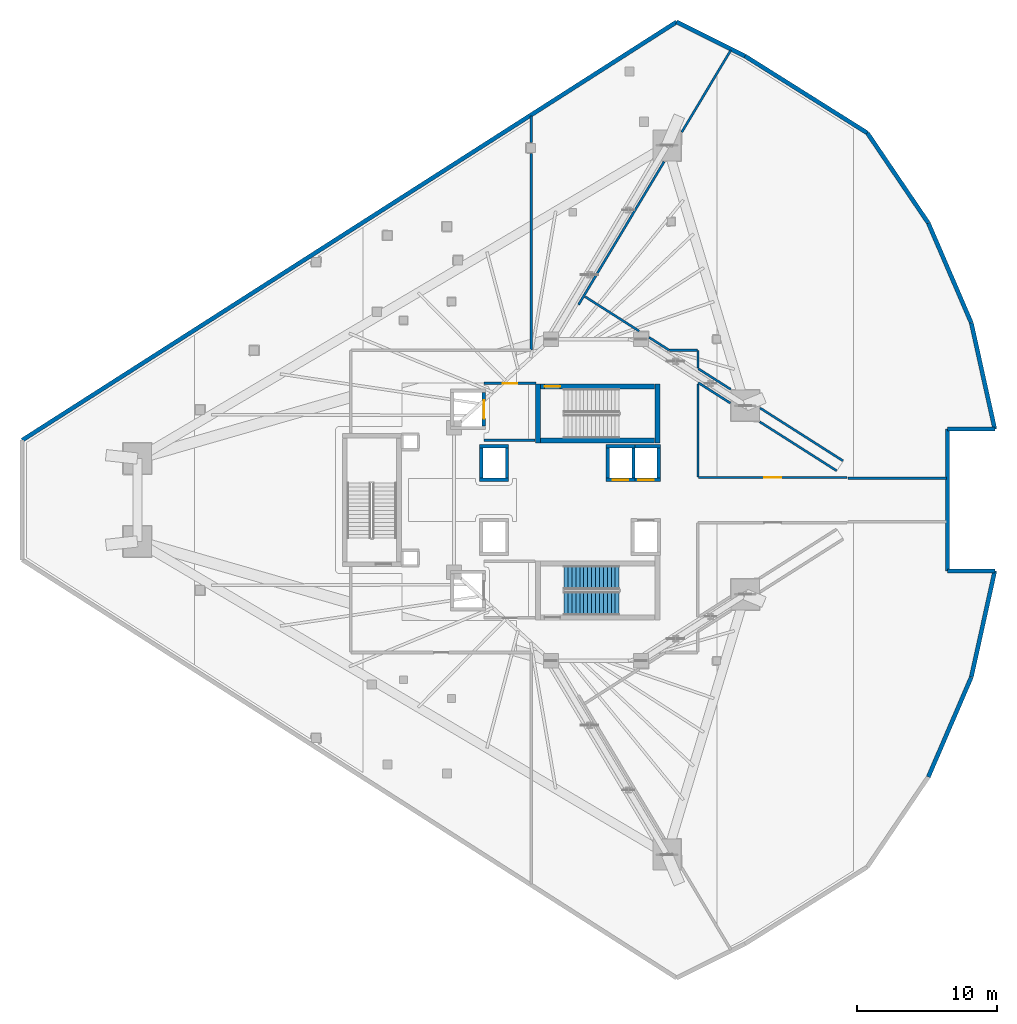
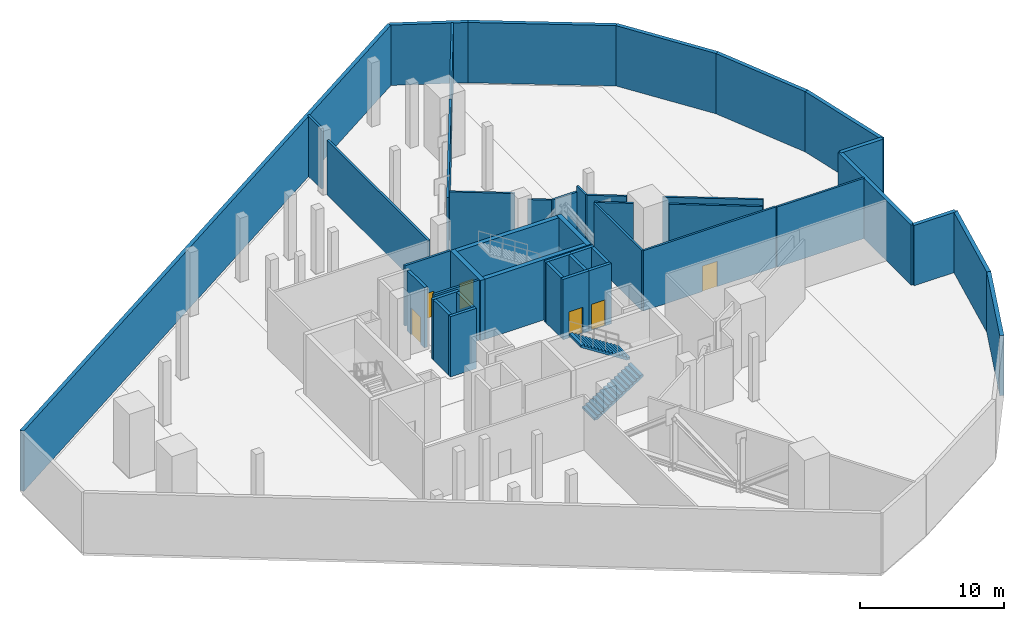
# One storey, part 6 of 12: 44 walls, 6 doors, 2 stair flights, 6 openings, 1 element without a shape of its own.
"""IFC4 building model written with IfcOpenShell, lengths in metres."""

from ifc_helpers import new_model, si_unit, direction, frame, frame_2d, origin, place, context, subcontext, project, spatial, polyline, rectangle, outline, extrude, material, layer, layer_set, type_object, element, fill, aggregate, save


model = new_model("IFC4")

# Units and contexts
model_context = context("Model", 3, precision=1e-05, world=origin(), true_north=direction((0.0, 1.0)))
body_context = subcontext(model_context, "Body", "Model", "MODEL_VIEW")
ifc_project = project(units=[si_unit("LENGTHUNIT", "METRE"), si_unit("AREAUNIT", "SQUARE_METRE"), si_unit("VOLUMEUNIT", "CUBIC_METRE"), si_unit("PLANEANGLEUNIT", "RADIAN"), si_unit("MASSUNIT", "GRAM", prefix="KILO")], contexts=[model_context])

# Site, building, storey
site_placement = place(None, origin())
site = spatial("IfcSite", under=ifc_project, at=site_placement, CompositionType="ELEMENT")
building_placement = place(site_placement, origin())
building = spatial("IfcBuilding", under=site, at=building_placement, Name="Qorvath Tower", CompositionType="ELEMENT")
storey_placement = place(building_placement, frame((0.0, 0.0, 99.60009765625)))
storey = spatial("IfcBuildingStorey", under=building, at=storey_placement, Name="L22", CompositionType="ELEMENT", Elevation=99.60009765625)

# Wall
ifc_material_1 = material(Name="Gypsum shaftliner on steel studs", Category="steel")
ifc_layer_1 = layer(ifc_material_1, 0.179931640625)
ifc_layer_set_1 = layer_set([ifc_layer_1], Name="FW-LOBBY")
wall_type_1 = type_object("IfcWallType", Name="FW-LOBBY", PredefinedType="PARTITIONING", material=ifc_layer_set_1)
wall_1_placement = place(storey_placement, frame((-28.35498046875, 4.25, 0.0), z_axis=(0.0, 0.0, 1.0), x_axis=(1.0, 0.0, 0.0)))
element("IfcWall", 1, at=wall_1_placement, inside=storey, type_object=wall_type_1, Name="Interior Partition IW-T1-L22-001", PredefinedType="PARTITIONING", context=body_context, shape_type="SweptSolid", body=[
    extrude(rectangle(XDim=3.6220703125, YDim=0.179931640625, at=frame_2d((1.81103515625, 0.0))), origin(), (0.0, 0.0, 1.0), 5.099853515625),
])

# Wall, opening, door
wall_2_placement = place(storey_placement, frame((-24.68408203125, 8.300048828125, 0.0), z_axis=(0.0, 0.0, 1.0), x_axis=(-1.0, 0.0, 0.0)))
wall_2 = element("IfcWall", 2, at=wall_2_placement, inside=storey, type_object=wall_type_1, Name="Interior Partition IW-T1-L22-002", PredefinedType="PARTITIONING", context=body_context, shape_type="SweptSolid", body=[
    extrude(rectangle(XDim=3.6708984375, YDim=0.179931640625, at=frame_2d((1.83544921875, 0.0))), origin(), (0.0, 0.0, 1.0), 5.099853515625),
])
opening_1_placement = place(wall_2_placement, frame((1.33544921875, 0.0, 0.0)))
opening_1 = element("IfcOpeningElement", 3, at=opening_1_placement, cuts=wall_2, Name="Opening D-T1-L22-04", PredefinedType="OPENING", context=body_context, shape_type="SweptSolid", body=[
    extrude(rectangle(XDim=1.0, YDim=2.14990234375, at=frame_2d((0.5, 1.074951171875))), frame((0.0, 0.10009765625, 0.0), z_axis=(0.0, -1.0, 0.0), x_axis=(1.0, 0.0, 0.0)), (0.0, 0.0, 1.0), 0.199951171875),
])
ifc_material_2 = material(Name="Painted galvanised hollow metal", Category="steel")
door_type_1 = type_object("IfcDoorType", Name="FD-60", OperationType="NOTDEFINED", PredefinedType="DOOR", material=ifc_material_2)
door_1_placement = place(opening_1_placement, origin())
door_1 = element("IfcDoor", 4, at=door_1_placement, inside=storey, type_object=door_type_1, Name="Lobby Fire Service Elevator North Door D-T1-L22-04", OperationType="SINGLE_SWING_RIGHT", OverallHeight=2.14990234375, OverallWidth=1.0, PredefinedType="DOOR", context=body_context, shape_type="SweptSolid", body=[
    extrude(rectangle(XDim=1.0, YDim=2.14990234375, at=frame_2d((0.5, 1.074951171875))), frame((0.0, 0.02490234375, 0.0), z_axis=(0.0, -1.0, 0.0), x_axis=(1.0, 0.0, 0.0)), (0.0, 0.0, 1.0), 0.050048828125),
])
fill(opening_1, door_1)

# Walls
wall_3_placement = place(storey_placement, frame((-25.0, 10.68310546875, 0.0), z_axis=(0.0, 0.0, 1.0), x_axis=(0.0, 1.0, 0.0)))
element("IfcWall", 5, at=wall_3_placement, inside=storey, type_object=wall_type_1, Name="Interior Partition IW-T1-L22-010", PredefinedType="PARTITIONING", context=body_context, shape_type="SweptSolid", body=[
    extrude(rectangle(XDim=13.985595703125, YDim=0.179931640625, at=frame_2d((6.99267578125, 0.0))), origin(), (0.0, 0.0, 1.0), 4.61279296875),
])
wall_4_placement = place(storey_placement, frame((-25.0, 25.44873046875, 0.0), z_axis=(0.0, 0.0, 1.0), x_axis=(0.0, 1.0, 0.0)))
element("IfcWall", 6, at=wall_4_placement, inside=storey, type_object=wall_type_1, Name="Interior Partition IW-T1-L22-011", PredefinedType="PARTITIONING", context=body_context, shape_type="SweptSolid", body=[
    extrude(rectangle(XDim=1.898193359375, YDim=0.179931640625, at=frame_2d((0.94921875, 0.0))), origin(), (0.0, 0.0, 1.0), 5.099853515625),
])
ifc_material_3 = material(Name="Double acoustic gypsum board on steel studs", Category="steel")
ifc_layer_2 = layer(ifc_material_3, 0.159912109375)
ifc_layer_set_2 = layer_set([ifc_layer_2], Name="IW-ACOUSTIC-160")
wall_type_2 = type_object("IfcWallType", Name="IW-ACOUSTIC-160", PredefinedType="PARTITIONING", material=ifc_layer_set_2)
wall_5_placement = place(storey_placement, frame((-10.799072265625, 32.023193359375, 0.0), z_axis=(0.0, 0.0, 1.0), x_axis=(-0.513497629333, -0.85809101188, 0.0)))
element("IfcWall", 7, at=wall_5_placement, inside=storey, type_object=wall_type_2, Name="Interior Partition IW-T1-L22-012", PredefinedType="PARTITIONING", context=body_context, shape_type="SweptSolid", body=[
    extrude(rectangle(XDim=6.80078125, YDim=0.159912109375, at=frame_2d((3.400390625, 0.0))), origin(), (0.0, 0.0, 1.0), 5.099853515625),
])
wall_6_placement = place(storey_placement, frame((-15.5498046875, 24.084716796875, 0.0), z_axis=(0.0, 0.0, 1.0), x_axis=(-0.513490454959, -0.858095305118, 0.0)))
element("IfcWall", 8, at=wall_6_placement, inside=storey, type_object=wall_type_2, Name="Interior Partition IW-T1-L22-013", PredefinedType="PARTITIONING", context=body_context, shape_type="SweptSolid", body=[
    extrude(rectangle(XDim=11.861083984375, YDim=0.159912109375, at=frame_2d((5.9306640625, 0.0))), origin(), (0.0, 0.0, 1.0), 5.099853515625),
])
wall_7_placement = place(storey_placement, frame((-21.171875, 14.4755859375, 0.0), z_axis=(0.0, 0.0, 1.0), x_axis=(0.843630608354, -0.53692401385, 0.0)))
element("IfcWall", 9, at=wall_7_placement, inside=storey, type_object=wall_type_2, Name="Interior Partition IW-T1-L22-014", PredefinedType="PARTITIONING", context=body_context, shape_type="SweptSolid", body=[
    extrude(rectangle(XDim=4.557861328125, YDim=0.159912109375, at=frame_2d((2.27880859375, 0.0))), origin(), (0.0, 0.0, 1.0), 5.099853515625),
])
wall_8_placement = place(storey_placement, frame((-16.614013671875, 11.574951171875, 0.0), z_axis=(0.0, 0.0, 1.0), x_axis=(0.843625643176, -0.536931815201, 0.0)))
element("IfcWall", 10, at=wall_8_placement, inside=storey, type_object=wall_type_2, Name="Interior Partition IW-T1-L22-015", PredefinedType="PARTITIONING", context=body_context, shape_type="SweptSolid", body=[
    extrude(rectangle(XDim=1.682861328125, YDim=0.159912109375, at=frame_2d((0.84130859375, 0.0))), origin(), (0.0, 0.0, 1.0), 4.61279296875),
])
wall_9_placement = place(storey_placement, frame((-15.148193359375, 10.657958984375, 0.0), z_axis=(0.0, 0.0, 1.0), x_axis=(1.0, 0.0, 0.0)))
element("IfcWall", 11, at=wall_9_placement, inside=storey, type_object=wall_type_2, Name="Interior Partition IW-T1-L22-016", PredefinedType="PARTITIONING", context=body_context, shape_type="SweptSolid", body=[
    extrude(rectangle(XDim=1.981201171875, YDim=0.159912109375, at=frame_2d((0.99072265625, 0.0))), origin(), (0.0, 0.0, 1.0), 4.61279296875),
])
wall_10_placement = place(storey_placement, frame((-13.14208984375, 10.633056640625, 0.0), z_axis=(0.0, 0.0, 1.0), x_axis=(0.0, -1.0, 0.0)))
element("IfcWall", 12, at=wall_10_placement, inside=storey, type_object=wall_type_2, Name="Interior Partition IW-T1-L22-017", PredefinedType="PARTITIONING", context=body_context, shape_type="SweptSolid", body=[
    extrude(rectangle(XDim=1.242919921875, YDim=0.159912109375, at=frame_2d((0.62158203125, 0.0))), origin(), (0.0, 0.0, 1.0), 5.099853515625),
])
wall_11_placement = place(storey_placement, frame((-13.12109375, 9.351806640625, 0.0), z_axis=(0.0, 0.0, 1.0), x_axis=(0.843632252062, -0.536921431199, 0.0)))
element("IfcWall", 13, at=wall_11_placement, inside=storey, type_object=wall_type_2, Name="Interior Partition IW-T1-L22-018", PredefinedType="PARTITIONING", context=body_context, shape_type="SweptSolid", body=[
    extrude(rectangle(XDim=2.7509765625, YDim=0.159912109375, at=frame_2d((1.37548828125, 0.0))), origin(), (0.0, 0.0, 1.0), 5.099853515625),
])
wall_12_placement = place(storey_placement, frame((-8.709228515625, 6.5439453125, 0.0), z_axis=(0.0, 0.0, 1.0), x_axis=(0.84362406393, -0.5369342965, 0.0)))
element("IfcWall", 14, at=wall_12_placement, inside=storey, type_object=wall_type_2, Name="Interior Partition IW-T1-L22-019", PredefinedType="PARTITIONING", context=body_context, shape_type="SweptSolid", body=[
    extrude(rectangle(XDim=6.984619140625, YDim=0.159912109375, at=frame_2d((3.4921875, 0.0))), origin(), (0.0, 0.0, 1.0), 5.099853515625),
])
wall_13_placement = place(storey_placement, frame((-8.740478515625, 5.56787109375, 0.0), z_axis=(0.0, 0.0, 1.0), x_axis=(0.843639791222, -0.536909585188, 0.0)))
element("IfcWall", 15, at=wall_13_placement, inside=storey, type_object=wall_type_2, Name="Interior Partition IW-T1-L22-020", PredefinedType="PARTITIONING", context=body_context, shape_type="SweptSolid", body=[
    extrude(rectangle(XDim=6.487060546875, YDim=0.159912109375, at=frame_2d((3.24365234375, 0.0))), origin(), (0.0, 0.0, 1.0), 5.099853515625),
])
wall_14_placement = place(storey_placement, frame((-13.12109375, 8.35595703125, 0.0), z_axis=(0.0, 0.0, 1.0), x_axis=(0.843680007203, -0.536846389059, 0.0)))
element("IfcWall", 16, at=wall_14_placement, inside=storey, type_object=wall_type_2, Name="Interior Partition IW-T1-L22-021", PredefinedType="PARTITIONING", context=body_context, shape_type="SweptSolid", body=[
    extrude(rectangle(XDim=2.714111328125, YDim=0.159912109375, at=frame_2d((1.35693359375, 0.0))), origin(), (0.0, 0.0, 1.0), 5.099853515625),
])
wall_15_placement = place(storey_placement, frame((-13.14208984375, 8.24365234375, 0.0), z_axis=(0.0, 0.0, 1.0), x_axis=(0.0, -1.0, 0.0)))
element("IfcWall", 17, at=wall_15_placement, inside=storey, type_object=wall_type_2, Name="Interior Partition IW-T1-L22-022", PredefinedType="PARTITIONING", context=body_context, shape_type="SweptSolid", body=[
    extrude(rectangle(XDim=6.61083984375, YDim=0.159912109375, at=frame_2d((3.305419921875, 0.0))), origin(), (0.0, 0.0, 1.0), 5.099853515625),
])

# Wall, opening, door
wall_16_placement = place(storey_placement, frame((-13.1171875, 1.60791015625, 0.0), z_axis=(0.0, 0.0, 1.0), x_axis=(1.0, 0.0, 0.0)))
wall_16 = element("IfcWall", 18, at=wall_16_placement, inside=storey, type_object=wall_type_2, Name="Interior Partition IW-T1-L22-023", PredefinedType="PARTITIONING", context=body_context, shape_type="SweptSolid", body=[
    extrude(rectangle(XDim=10.600341796875, YDim=0.159912109375, at=frame_2d((5.30029296875, 0.0))), origin(), (0.0, 0.0, 1.0), 5.099853515625),
])
opening_2_placement = place(wall_16_placement, frame((4.7001953125, 0.0, 0.0)))
opening_2 = element("IfcOpeningElement", 19, at=opening_2_placement, cuts=wall_16, Name="Opening D-T1-L22-02", PredefinedType="OPENING", context=body_context, shape_type="SweptSolid", body=[
    extrude(rectangle(XDim=1.199951171875, YDim=2.14990234375, at=frame_2d((0.60009765625, 1.074951171875))), frame((0.0, 0.08984375, 0.0), z_axis=(0.0, -1.0, 0.0), x_axis=(1.0, 0.0, 0.0)), (0.0, 0.0, 1.0), 0.179931640625),
])
ifc_material_4 = material(Name="Painted hollow steel utility leaf", Category="steel")
door_type_2 = type_object("IfcDoorType", Name="D-05", OperationType="NOTDEFINED", PredefinedType="DOOR", material=ifc_material_4)
door_2_placement = place(opening_2_placement, origin())
door_2 = element("IfcDoor", 20, at=door_2_placement, inside=storey, type_object=door_type_2, Name="Plant Air-Handling Room L22 Door D-T1-L22-02", OperationType="SINGLE_SWING_RIGHT", OverallHeight=2.14990234375, OverallWidth=1.199951171875, PredefinedType="DOOR", context=body_context, shape_type="SweptSolid", body=[
    extrude(rectangle(XDim=1.199951171875, YDim=2.14990234375, at=frame_2d((0.60009765625, 1.074951171875))), frame((0.0, 0.02490234375, 0.0), z_axis=(0.0, -1.0, 0.0), x_axis=(1.0, 0.0, 0.0)), (0.0, 0.0, 1.0), 0.050048828125),
])
fill(opening_2, door_2)

# Wall
wall_17_placement = place(storey_placement, frame((-2.466796875, 1.550048828125, 0.0), z_axis=(0.0, 0.0, 1.0), x_axis=(1.0, 0.0, 0.0)))
element("IfcWall", 21, at=wall_17_placement, inside=storey, type_object=wall_type_2, Name="Interior Partition IW-T1-L22-024", PredefinedType="PARTITIONING", context=body_context, shape_type="SweptSolid", body=[
    extrude(rectangle(XDim=7.013427734375, YDim=0.159912109375, at=frame_2d((3.5068359375, 0.0))), origin(), (0.0, 0.0, 1.0), 5.099853515625),
])

# Wall, opening, door
ifc_material_5 = material(Name="Concrete C60/75", Category="concrete")
ifc_layer_3 = layer(ifc_material_5, 0.260009765625)
ifc_layer_set_3 = layer_set([ifc_layer_3], Name="SW-SHAFT")
wall_type_3 = type_object("IfcWallType", Name="SW-SHAFT", PredefinedType="SHEAR", material=ifc_layer_set_3)
wall_18_placement = place(storey_placement, frame((-28.3798828125, 7.637939453125, 0.0), z_axis=(0.0, 0.0, 1.0), x_axis=(0.0, -1.0, 0.0)))
wall_18 = element("IfcWall", 22, at=wall_18_placement, inside=storey, type_object=wall_type_3, Name="Hoistway Wall FSAE-1 L22 E", PredefinedType="SHEAR", context=body_context, shape_type="SweptSolid", body=[
    extrude(rectangle(XDim=2.3759765625, YDim=0.239990234375, at=frame_2d((1.18798828125, 0.0))), origin(), (0.0, 0.0, 1.0), 5.099853515625),
])
opening_3_placement = place(wall_18_placement, frame((0.537841796875, 0.0, 0.0)))
opening_3 = element("IfcOpeningElement", 23, at=opening_3_placement, cuts=wall_18, Name="Opening LD-FSAE-1-L22", PredefinedType="OPENING", context=body_context, shape_type="SweptSolid", body=[
    extrude(rectangle(XDim=1.300048828125, YDim=2.300048828125, at=frame_2d((0.64990234375, 1.14990234375))), frame((0.0, 0.1298828125, 0.0), z_axis=(0.0, -1.0, 0.0), x_axis=(1.0, 0.0, 0.0)), (0.0, 0.0, 1.0), 0.260009765625),
])
ifc_material_6 = material(Name="Brushed stainless steel AISI 316", Category="steel")
door_type_3 = type_object("IfcDoorType", Name="LD-02", OperationType="NOTDEFINED", PredefinedType="DOOR", material=ifc_material_6)
door_3_placement = place(opening_3_placement, origin())
door_3 = element("IfcDoor", 24, at=door_3_placement, inside=storey, type_object=door_type_3, Name="Elevator Landing Sliding Door LD-FSAE-1-L22", OperationType="DOUBLE_DOOR_SLIDING", OverallHeight=2.300048828125, OverallWidth=1.300048828125, PredefinedType="DOOR", context=body_context, shape_type="SweptSolid", body=[
    extrude(rectangle(XDim=1.300048828125, YDim=2.300048828125, at=frame_2d((0.64990234375, 1.14990234375))), frame((0.0, 0.02490234375, 0.0), z_axis=(0.0, -1.0, 0.0), x_axis=(1.0, 0.0, 0.0)), (0.0, 0.0, 1.0), 0.050048828125),
])
fill(opening_3, door_3)

# Walls
for number, where, z_axis, x_axis, name in (
    (25, (-26.610107421875, 1.429931640625, 0.0), (0.0, 0.0, 1.0), (-1.0, 0.0, 0.0), "Hoistway Wall PS-1 L22 S"),
    (26, (-28.68994140625, 3.820068359375, 0.0), (0.0, 0.0, 1.0), (1.0, 0.0, 0.0), "Hoistway Wall PS-1 L22 N"),
):
    element("IfcWall", number, at=place(storey_placement, frame(where, z_axis=z_axis, x_axis=x_axis)), inside=storey, type_object=wall_type_3, Name=name, PredefinedType="SHEAR", context=body_context, shape_type="SweptSolid", body=[
        extrude(rectangle(XDim=2.079833984375, YDim=0.239990234375, at=frame_2d((1.0400390625, 0.0))), origin(), (0.0, 0.0, 1.0), 5.099853515625),
    ])
for number, where, z_axis, x_axis, name in (
    (27, (-28.570068359375, 1.56201171875, 0.0), (0.0, 0.0, 1.0), (0.0, 1.0, 0.0), "Hoistway Wall PS-1 L22 W"),
    (28, (-26.72998046875, 3.68798828125, 0.0), (0.0, 0.0, 1.0), (0.0, -1.0, 0.0), "Hoistway Wall PS-1 L22 E"),
):
    element("IfcWall", number, at=place(storey_placement, frame(where, z_axis=z_axis, x_axis=x_axis)), inside=storey, type_object=wall_type_3, Name=name, PredefinedType="SHEAR", context=body_context, shape_type="SweptSolid", body=[
        extrude(rectangle(XDim=2.1259765625, YDim=0.239990234375, at=frame_2d((1.06298828125, 0.0))), origin(), (0.0, 0.0, 1.0), 5.099853515625),
    ])

# Wall, opening, door
wall_19_placement = place(storey_placement, frame((-17.610107421875, 1.429931640625, 0.0), z_axis=(0.0, 0.0, 1.0), x_axis=(-1.0, 0.0, 0.0)))
wall_19 = element("IfcWall", 29, at=wall_19_placement, inside=storey, type_object=wall_type_3, Name="Hoistway Wall PL-1 L22 S", PredefinedType="SHEAR", context=body_context, shape_type="SweptSolid", body=[
    extrude(rectangle(XDim=2.079833984375, YDim=0.239990234375, at=frame_2d((1.0400390625, 0.0))), origin(), (0.0, 0.0, 1.0), 5.099853515625),
])
opening_4_placement = place(wall_19_placement, frame((0.48974609375, 0.0, 0.0)))
opening_4 = element("IfcOpeningElement", 30, at=opening_4_placement, cuts=wall_19, Name="Opening LD-PL-1-L22", PredefinedType="OPENING", context=body_context, shape_type="SweptSolid", body=[
    extrude(rectangle(XDim=1.10009765625, YDim=2.199951171875, at=frame_2d((0.550048828125, 1.10009765625))), frame((0.0, 0.1298828125, 0.0), z_axis=(0.0, -1.0, 0.0), x_axis=(1.0, 0.0, 0.0)), (0.0, 0.0, 1.0), 0.260009765625),
])
ifc_material_7 = material(Name="Brushed stainless steel AISI 316", Category="steel")
door_type_4 = type_object("IfcDoorType", Name="LD-01", OperationType="NOTDEFINED", PredefinedType="DOOR", material=ifc_material_7)
door_4_placement = place(opening_4_placement, origin())
door_4 = element("IfcDoor", 31, at=door_4_placement, inside=storey, type_object=door_type_4, Name="Elevator Landing Sliding Door LD-PL-1-L22", OperationType="DOUBLE_DOOR_SLIDING", OverallHeight=2.199951171875, OverallWidth=1.10009765625, PredefinedType="DOOR", context=body_context, shape_type="SweptSolid", body=[
    extrude(rectangle(XDim=1.10009765625, YDim=2.199951171875, at=frame_2d((0.550048828125, 1.10009765625))), frame((0.0, 0.02490234375, 0.0), z_axis=(0.0, -1.0, 0.0), x_axis=(1.0, 0.0, 0.0)), (0.0, 0.0, 1.0), 0.050048828125),
])
fill(opening_4, door_4)

# Walls
wall_20_placement = place(storey_placement, frame((-19.68994140625, 3.820068359375, 0.0), z_axis=(0.0, 0.0, 1.0), x_axis=(1.0, 0.0, 0.0)))
element("IfcWall", 32, at=wall_20_placement, inside=storey, type_object=wall_type_3, Name="Hoistway Wall PL-1 L22 N", PredefinedType="SHEAR", context=body_context, shape_type="SweptSolid", body=[
    extrude(rectangle(XDim=2.079833984375, YDim=0.239990234375, at=frame_2d((1.0400390625, 0.0))), origin(), (0.0, 0.0, 1.0), 5.099853515625),
])
for number, where, z_axis, x_axis, name in (
    (33, (-19.570068359375, 1.56201171875, 0.0), (0.0, 0.0, 1.0), (0.0, 1.0, 0.0), "Hoistway Wall PL-1 L22 W"),
    (34, (-17.72998046875, 3.68798828125, 0.0), (0.0, 0.0, 1.0), (0.0, -1.0, 0.0), "Hoistway Wall PL-1 L22 E"),
):
    element("IfcWall", number, at=place(storey_placement, frame(where, z_axis=z_axis, x_axis=x_axis)), inside=storey, type_object=wall_type_3, Name=name, PredefinedType="SHEAR", context=body_context, shape_type="SweptSolid", body=[
        extrude(rectangle(XDim=2.1259765625, YDim=0.239990234375, at=frame_2d((1.06298828125, 0.0))), origin(), (0.0, 0.0, 1.0), 5.099853515625),
    ])

# Wall, opening, door
wall_21_placement = place(storey_placement, frame((-15.81005859375, 1.429931640625, 0.0), z_axis=(0.0, 0.0, 1.0), x_axis=(-1.0, 0.0, 0.0)))
wall_21 = element("IfcWall", 35, at=wall_21_placement, inside=storey, type_object=wall_type_3, Name="Hoistway Wall PL-3 L22 S", PredefinedType="SHEAR", context=body_context, shape_type="SweptSolid", body=[
    extrude(rectangle(XDim=1.800048828125, YDim=0.239990234375, at=frame_2d((0.89990234375, 0.0))), origin(), (0.0, 0.0, 1.0), 5.099853515625),
])
opening_5_placement = place(wall_21_placement, frame((0.489990234375, 0.0, 0.0)))
opening_5 = element("IfcOpeningElement", 36, at=opening_5_placement, cuts=wall_21, Name="Opening LD-PL-3-L22", PredefinedType="OPENING", context=body_context, shape_type="SweptSolid", body=[
    extrude(rectangle(XDim=1.10009765625, YDim=2.199951171875, at=frame_2d((0.550048828125, 1.10009765625))), frame((0.0, 0.1298828125, 0.0), z_axis=(0.0, -1.0, 0.0), x_axis=(1.0, 0.0, 0.0)), (0.0, 0.0, 1.0), 0.260009765625),
])
door_5_placement = place(opening_5_placement, origin())
door_5 = element("IfcDoor", 37, at=door_5_placement, inside=storey, type_object=door_type_4, Name="Elevator Landing Sliding Door LD-PL-3-L22", OperationType="DOUBLE_DOOR_SLIDING", OverallHeight=2.199951171875, OverallWidth=1.10009765625, PredefinedType="DOOR", context=body_context, shape_type="SweptSolid", body=[
    extrude(rectangle(XDim=1.10009765625, YDim=2.199951171875, at=frame_2d((0.550048828125, 1.10009765625))), frame((0.0, 0.02490234375, 0.0), z_axis=(0.0, -1.0, 0.0), x_axis=(1.0, 0.0, 0.0)), (0.0, 0.0, 1.0), 0.050048828125),
])
fill(opening_5, door_5)

# Walls
wall_22_placement = place(storey_placement, frame((-17.610107421875, 3.820068359375, 0.0), z_axis=(0.0, 0.0, 1.0), x_axis=(1.0, 0.0, 0.0)))
element("IfcWall", 38, at=wall_22_placement, inside=storey, type_object=wall_type_3, Name="Hoistway Wall PL-3 L22 N", PredefinedType="SHEAR", context=body_context, shape_type="SweptSolid", body=[
    extrude(rectangle(XDim=1.800048828125, YDim=0.239990234375, at=frame_2d((0.89990234375, 0.0))), origin(), (0.0, 0.0, 1.0), 5.099853515625),
])
wall_23_placement = place(storey_placement, frame((-15.929931640625, 3.68798828125, 0.0), z_axis=(0.0, 0.0, 1.0), x_axis=(0.0, -1.0, 0.0)))
element("IfcWall", 39, at=wall_23_placement, inside=storey, type_object=wall_type_3, Name="Hoistway Wall PL-3 L22 E", PredefinedType="SHEAR", context=body_context, shape_type="SweptSolid", body=[
    extrude(rectangle(XDim=2.1259765625, YDim=0.239990234375, at=frame_2d((1.06298828125, 0.0))), origin(), (0.0, 0.0, 1.0), 5.099853515625),
])
ifc_material_8 = material(Name="Concrete C60/75", Category="concrete")
ifc_layer_4 = layer(ifc_material_8, 0.35009765625)
ifc_layer_set_4 = layer_set([ifc_layer_4], Name="SW-STAIR")
wall_type_4 = type_object("IfcWallType", Name="SW-STAIR", PredefinedType="SHEAR", material=ifc_layer_set_4)
for number, where, z_axis, x_axis, name in (
    (40, (-24.52490234375, 8.260009765625, 0.0), (0.0, 0.0, 1.0), (0.0, -1.0, 0.0), "Stair TS1 Shear Wall L22 NEAR"),
    (41, (-16.02490234375, 4.050048828125, 0.0), (0.0, 0.0, 1.0), (0.0, 1.0, 0.0), "Stair TS1 Shear Wall L22 FAR"),
):
    element("IfcWall", number, at=place(storey_placement, frame(where, z_axis=z_axis, x_axis=x_axis)), inside=storey, type_object=wall_type_4, Name=name, PredefinedType="SHEAR", context=body_context, shape_type="SweptSolid", body=[
        extrude(rectangle(XDim=4.2099609375, YDim=0.35009765625, at=frame_2d((2.10498046875, 0.0))), origin(), (0.0, 0.0, 1.0), 5.099853515625),
    ])
wall_24_placement = place(storey_placement, frame((-24.3349609375, 4.22509765625, 0.0), z_axis=(0.0, 0.0, 1.0), x_axis=(1.0, 0.0, 0.0)))
element("IfcWall", 42, at=wall_24_placement, inside=storey, type_object=wall_type_4, Name="Stair TS1 Shear Wall L22 LEFT", PredefinedType="SHEAR", context=body_context, shape_type="SweptSolid", body=[
    extrude(rectangle(XDim=8.119873046875, YDim=0.35009765625, at=frame_2d((4.06005859375, 0.0))), origin(), (0.0, 0.0, 1.0), 5.099853515625),
])

# Wall, opening, door
wall_25_placement = place(storey_placement, frame((-16.215087890625, 8.0849609375, 0.0), z_axis=(0.0, 0.0, 1.0), x_axis=(-1.0, 0.0, 0.0)))
wall_25 = element("IfcWall", 43, at=wall_25_placement, inside=storey, type_object=wall_type_4, Name="Stair TS1 Shear Wall L22 RIGHT", PredefinedType="SHEAR", context=body_context, shape_type="SweptSolid", body=[
    extrude(rectangle(XDim=8.119873046875, YDim=0.35009765625, at=frame_2d((4.06005859375, 0.0))), origin(), (0.0, 0.0, 1.0), 5.099853515625),
])
opening_6_placement = place(wall_25_placement, frame((6.739990234375, 0.0, 0.0)))
opening_6 = element("IfcOpeningElement", 44, at=opening_6_placement, cuts=wall_25, Name="Opening D-TS1-L22", PredefinedType="OPENING", context=body_context, shape_type="SweptSolid", body=[
    extrude(rectangle(XDim=1.10009765625, YDim=2.199951171875, at=frame_2d((0.550048828125, 1.10009765625))), frame((0.0, 0.18505859375, 0.0), z_axis=(0.0, -1.0, 0.0), x_axis=(1.0, 0.0, 0.0)), (0.0, 0.0, 1.0), 0.3701171875),
])
ifc_material_9 = material(Name="Painted galvanised hollow metal", Category="steel")
door_type_5 = type_object("IfcDoorType", Name="FD-90", OperationType="NOTDEFINED", PredefinedType="DOOR", material=ifc_material_9)
door_6_placement = place(opening_6_placement, origin())
door_6 = element("IfcDoor", 45, at=door_6_placement, inside=storey, type_object=door_type_5, Name="Stair TS1 Fire Door L22", OperationType="SINGLE_SWING_LEFT", OverallHeight=2.199951171875, OverallWidth=1.10009765625, PredefinedType="DOOR", context=body_context, shape_type="SweptSolid", body=[
    extrude(rectangle(XDim=1.10009765625, YDim=2.199951171875, at=frame_2d((0.550048828125, 1.10009765625))), frame((0.0, 0.02490234375, 0.0), z_axis=(0.0, -1.0, 0.0), x_axis=(1.0, 0.0, 0.0)), (0.0, 0.0, 1.0), 0.050048828125),
])
fill(opening_6, door_6)

# Walls
ifc_material_10 = material(Name="Precast concrete C45/55", Category="concrete")
ifc_layer_5 = layer(ifc_material_10, 0.300048828125)
ifc_layer_set_5 = layer_set([ifc_layer_5], Name="WL-EW-LOG-300")
wall_type_5 = type_object("IfcWallType", Name="WL-EW-LOG-300", PredefinedType="SOLIDWALL", material=ifc_layer_set_5)
wall_26_placement = place(storey_placement, frame((6.32373046875, -12.611328125, 0.0), z_axis=(0.0, 0.0, 1.0), x_axis=(-0.395487177676, -0.918471497812, 0.0)))
element("IfcWall", 46, at=wall_26_placement, inside=storey, type_object=wall_type_5, Name="Tower Precast Loggia Wall L22-6.1", PredefinedType="SOLIDWALL", context=body_context, shape_type="SweptSolid", body=[
    extrude(rectangle(XDim=7.739990234375, YDim=0.300048828125, at=frame_2d((3.8701171875, 0.0))), origin(), (0.0, 0.0, 1.0), 5.099853515625),
])
wall_27_placement = place(storey_placement, frame((7.99609375, -5.054443359375, 0.0), z_axis=(0.0, 0.0, 1.0), x_axis=(-0.216075350806, -0.976376691023, 0.0)))
element("IfcWall", 47, at=wall_27_placement, inside=storey, type_object=wall_type_5, Name="Tower Precast Loggia Wall L22-7.1", PredefinedType="SOLIDWALL", context=body_context, shape_type="SweptSolid", body=[
    extrude(rectangle(XDim=7.73974609375, YDim=0.300048828125, at=frame_2d((3.869873046875, 0.0))), origin(), (0.0, 0.0, 1.0), 5.099853515625),
])
wall_28_placement = place(storey_placement, frame((7.99609375, -5.054443359375, 0.0), z_axis=(0.0, 0.0, 1.0), x_axis=(-1.0, 0.0, 0.0)))
element("IfcWall", 48, at=wall_28_placement, inside=storey, type_object=wall_type_5, Name="Tower Precast Loggia Wall L22-8.1", PredefinedType="SOLIDWALL", context=body_context, shape_type="SweptSolid", body=[
    extrude(rectangle(XDim=3.369384765625, YDim=0.300048828125, at=frame_2d((1.6845703125, 0.0))), origin(), (0.0, 0.0, 1.0), 5.099853515625),
])
wall_29_placement = place(storey_placement, frame((4.626708984375, 5.054443359375, 0.0), z_axis=(0.0, 0.0, 1.0), x_axis=(0.0, -1.0, 0.0)))
element("IfcWall", 49, at=wall_29_placement, inside=storey, type_object=wall_type_5, Name="Tower Precast Loggia Wall L22-9.1", PredefinedType="SOLIDWALL", context=body_context, shape_type="SweptSolid", body=[
    extrude(rectangle(XDim=10.10888671875, YDim=0.300048828125, at=frame_2d((5.054443359375, 0.0))), origin(), (0.0, 0.0, 1.0), 5.099853515625),
])
wall_30_placement = place(storey_placement, frame((4.626708984375, 5.054443359375, 0.0), z_axis=(0.0, 0.0, 1.0), x_axis=(1.0, 0.0, 0.0)))
element("IfcWall", 50, at=wall_30_placement, inside=storey, type_object=wall_type_5, Name="Tower Precast Loggia Wall L22-10.1", PredefinedType="SOLIDWALL", context=body_context, shape_type="SweptSolid", body=[
    extrude(rectangle(XDim=3.369384765625, YDim=0.300048828125, at=frame_2d((1.6845703125, 0.0))), origin(), (0.0, 0.0, 1.0), 5.099853515625),
])
wall_31_placement = place(storey_placement, frame((6.32373046875, 12.611328125, 0.0), z_axis=(0.0, 0.0, 1.0), x_axis=(0.216075350806, -0.976376691023, 0.0)))
element("IfcWall", 51, at=wall_31_placement, inside=storey, type_object=wall_type_5, Name="Tower Precast Loggia Wall L22-11.1", PredefinedType="SOLIDWALL", context=body_context, shape_type="SweptSolid", body=[
    extrude(rectangle(XDim=7.73974609375, YDim=0.300048828125, at=frame_2d((3.869873046875, 0.0))), origin(), (0.0, 0.0, 1.0), 5.099853515625),
])
for number, where, z_axis, x_axis, name in (
    (52, (3.2626953125, 19.72021484375, 0.0), (0.0, 0.0, 1.0), (0.395487177676, -0.918471497812, 0.0), "Tower Precast Loggia Wall L22-12.1"),
    (53, (-1.077880859375, 26.12841796875, 0.0), (0.0, 0.0, 1.0), (0.560806994293, -0.827946565397, 0.0), "Tower Precast Loggia Wall L22-13.1"),
):
    element("IfcWall", number, at=place(storey_placement, frame(where, z_axis=z_axis, x_axis=x_axis)), inside=storey, type_object=wall_type_5, Name=name, PredefinedType="SOLIDWALL", context=body_context, shape_type="SweptSolid", body=[
        extrude(rectangle(XDim=7.739990234375, YDim=0.300048828125, at=frame_2d((3.8701171875, 0.0))), origin(), (0.0, 0.0, 1.0), 5.099853515625),
    ])
wall_32_placement = place(storey_placement, frame((-9.790771484375, 31.608154296875, 0.0), z_axis=(0.0, 0.0, 1.0), x_axis=(0.846502477186, -0.532384782012, 0.0)))
element("IfcWall", 54, at=wall_32_placement, inside=storey, type_object=wall_type_5, Name="Tower Precast Loggia Wall L22-14.1", PredefinedType="SOLIDWALL", context=body_context, shape_type="SweptSolid", body=[
    extrude(rectangle(XDim=10.292724609375, YDim=0.300048828125, at=frame_2d((5.146484375, 0.0))), origin(), (0.0, 0.0, 1.0), 5.099853515625),
])
wall_33_placement = place(storey_placement, frame((-14.653564453125, 34.03955078125, 0.0), z_axis=(0.0, 0.0, 1.0), x_axis=(0.894427191, -0.4472135955, 0.0)))
element("IfcWall", 55, at=wall_33_placement, inside=storey, type_object=wall_type_5, Name="Tower Precast Loggia Wall L22-15.1", PredefinedType="SOLIDWALL", context=body_context, shape_type="SweptSolid", body=[
    extrude(rectangle(XDim=5.436767578125, YDim=0.300048828125, at=frame_2d((2.71826171875, 0.0))), origin(), (0.0, 0.0, 1.0), 5.099853515625),
])
wall_34_placement = place(storey_placement, frame((-61.25537109375, 4.2548828125, 0.0), z_axis=(0.0, 0.0, 1.0), x_axis=(0.842603619866, 0.538534251268, 0.0)))
element("IfcWall", 56, at=wall_34_placement, inside=storey, type_object=wall_type_5, Name="Tower Precast Loggia Wall L22-16.1", PredefinedType="SOLIDWALL", context=body_context, shape_type="SweptSolid", body=[
    extrude(rectangle(XDim=55.306884765625, YDim=0.300048828125, at=frame_2d((27.6533203125, 0.0))), origin(), (0.0, 0.0, 1.0), 5.099853515625),
])

# Stair, stair flights
ifc_material_11 = material(Name="Concrete C50/60", Category="concrete")
stair_type = type_object("IfcStairType", Name="ST-H540", PredefinedType="HALF_TURN_STAIR", material=ifc_material_11)
stair_placement = place(storey_placement, origin())
stair = element("IfcStair", 57, at=stair_placement, inside=storey, type_object=stair_type, Name="L22 Tower Exit Stair 2", PredefinedType="HALF_TURN_STAIR")
ifc_material_12 = material(Name="Concrete C50/60", Category="concrete")
ifc_layer_6 = layer(ifc_material_12, 0.14990234375)
ifc_layer_set_6 = layer_set([ifc_layer_6], Name="SF-H540")
stair_flight_type = type_object("IfcStairFlightType", Name="SF-H540", PredefinedType="STRAIGHT", material=ifc_layer_set_6)
stair_flight_1_placement = place(storey_placement, frame((-22.669921875, -7.360107421875, 0.0), z_axis=(0.0, 0.0, 1.0), x_axis=(1.0, 0.0, 0.0)))
stair_flight_1 = element("IfcStairFlight", 58, at=stair_flight_1_placement, type_object=stair_flight_type, Name="TS2 flight 1", NumberOfRisers=15, NumberOfTreads=14, PredefinedType="STRAIGHT", RiserHeight=0.18, TreadLength=0.28, context=body_context, shape_type="SweptSolid", body=[
    extrude(outline(polyline([(0.0, 0.0), (0.0, 0.179931640625), (0.280029296875, 0.179931640625), (0.280029296875, 0.360107421875), (0.56005859375, 0.360107421875), (0.56005859375, 0.5400390625), (0.840087890625, 0.5400390625), (0.840087890625, 0.719970703125), (1.1201171875, 0.719970703125), (1.1201171875, 0.89990234375), (1.39990234375, 0.89990234375), (1.39990234375, 1.080078125), (1.679931640625, 1.080078125), (1.679931640625, 1.260009765625), (1.9599609375, 1.260009765625), (1.9599609375, 1.43994140625), (2.239990234375, 1.43994140625), (2.239990234375, 1.6201171875), (2.52001953125, 1.6201171875), (2.52001953125, 1.800048828125), (2.800048828125, 1.800048828125), (2.800048828125, 1.97998046875), (3.080078125, 1.97998046875), (3.080078125, 2.159912109375), (3.360107421875, 2.159912109375), (3.360107421875, 2.340087890625), (3.639892578125, 2.340087890625), (3.639892578125, 2.52001953125), (3.919921875, 2.52001953125), (3.919921875, 2.699951171875), (3.919921875, 2.341796875), (0.277099609375, 0.0), (0.0, 0.0)])), frame((0.0, 0.83984375, 0.0), z_axis=(0.0, -1.0, 0.0), x_axis=(1.0, 0.0, 0.0)), (0.0, 0.0, 1.0), 1.679931640625),
])
stair_flight_2_placement = place(storey_placement, frame((-18.75, -5.530029296875, 2.699951171875), z_axis=(0.0, 0.0, 1.0), x_axis=(-1.0, 0.0, 0.0)))
stair_flight_2 = element("IfcStairFlight", 59, at=stair_flight_2_placement, type_object=stair_flight_type, Name="TS2 flight 2", NumberOfRisers=15, NumberOfTreads=14, PredefinedType="STRAIGHT", RiserHeight=0.18, TreadLength=0.28, context=body_context, shape_type="SweptSolid", body=[
    extrude(outline(polyline([(0.0, 0.0), (0.0, 0.179931640625), (0.280029296875, 0.179931640625), (0.280029296875, 0.360107421875), (0.56005859375, 0.360107421875), (0.56005859375, 0.5400390625), (0.840087890625, 0.5400390625), (0.840087890625, 0.719970703125), (1.1201171875, 0.719970703125), (1.1201171875, 0.89990234375), (1.39990234375, 0.89990234375), (1.39990234375, 1.080078125), (1.679931640625, 1.080078125), (1.679931640625, 1.260009765625), (1.9599609375, 1.260009765625), (1.9599609375, 1.43994140625), (2.239990234375, 1.43994140625), (2.239990234375, 1.6201171875), (2.52001953125, 1.6201171875), (2.52001953125, 1.800048828125), (2.800048828125, 1.800048828125), (2.800048828125, 1.97998046875), (3.080078125, 1.97998046875), (3.080078125, 2.159912109375), (3.360107421875, 2.159912109375), (3.360107421875, 2.340087890625), (3.639892578125, 2.340087890625), (3.639892578125, 2.52001953125), (3.919921875, 2.52001953125), (3.919921875, 2.699951171875), (3.919921875, 2.341796875), (0.277099609375, 0.0), (0.0, 0.0)])), frame((0.0, 0.83984375, 0.0), z_axis=(0.0, -1.0, 0.0), x_axis=(1.0, 0.0, 0.0)), (0.0, 0.0, 1.0), 1.679931640625),
])
aggregate(stair, [stair_flight_1, stair_flight_2])

save(model, "model.ifc")
